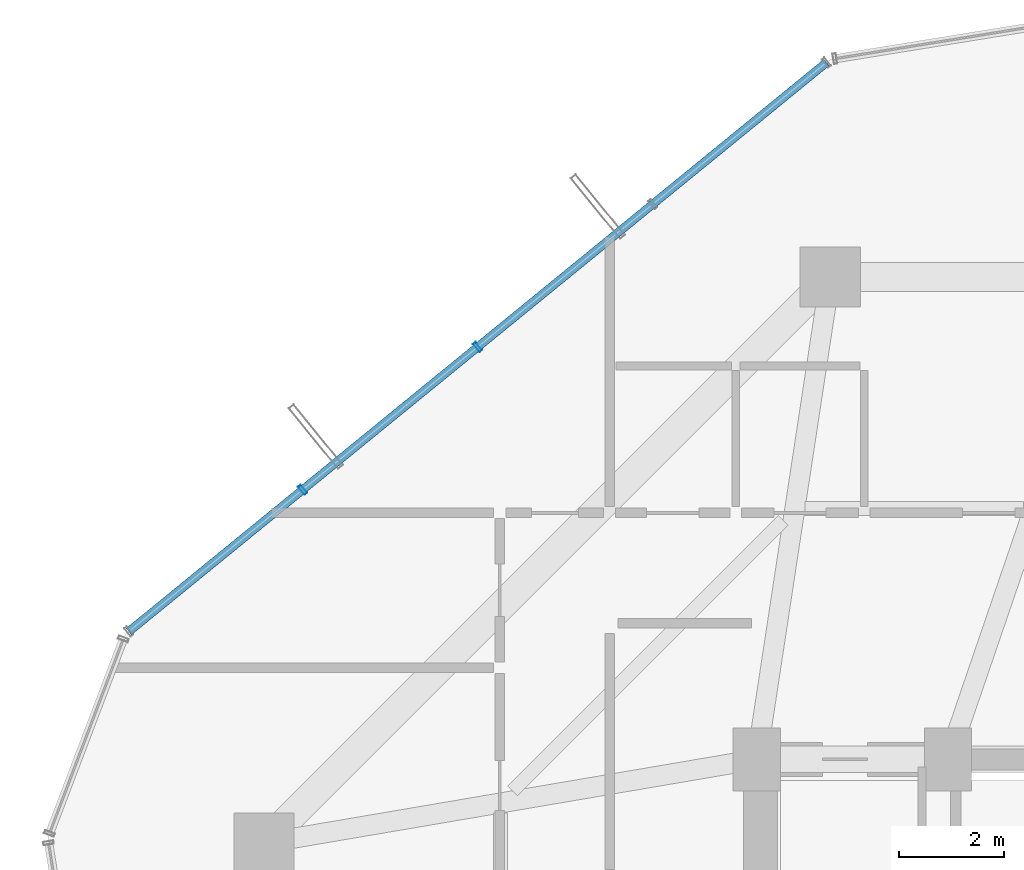
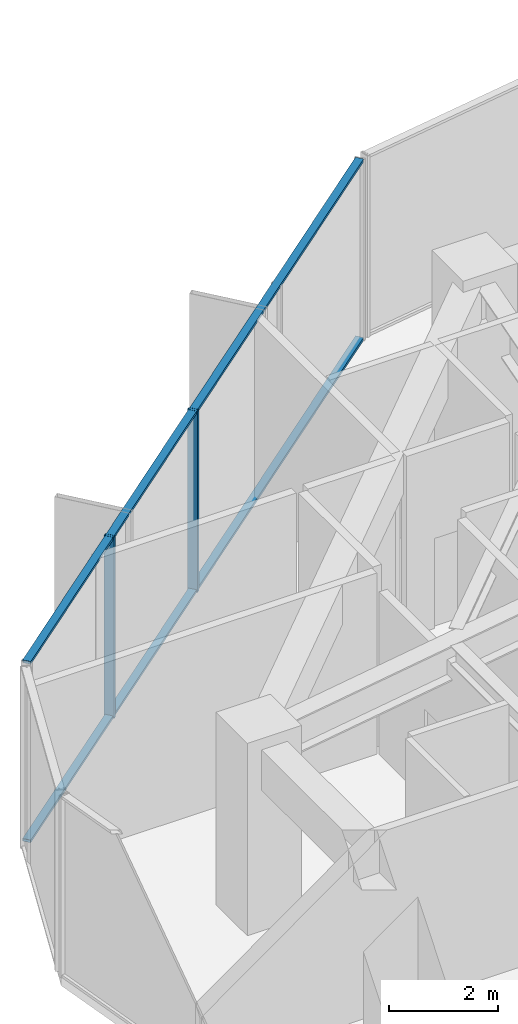
# One storey, part 15 of 26: 4 members, 1 element without a shape of its own.
"""IFC4 building model written with IfcOpenShell, lengths in metres."""

import ifcopenshell
import ifcopenshell.guid

model = None  # the IFC model being written
_history = None  # IfcOwnerHistory: only IFC2X3 demands one
_inside = {}  # id of a spatial element -> (the spatial element, [elements in it])
_under = {}  # id of a project, library or spatial element -> (it, [spatial elements below it])
_declared = {}  # id of a project -> (the project, [libraries it declares])
_typed = {}  # id of a type object -> (the type object, [elements of that type])
_made_of = {}  # id of a material, layer set ... -> (it, [elements and type objects made of it])


def new_model(schema):
    """Start an empty IFC model of exactly this schema.

    Asked for "IFC4X3", IfcOpenShell would pick the latest addendum, in which some entities
    have other attributes; the version numbers below select the first issue.
    IFC2X3 requires an IfcOwnerHistory on every rooted entity: one is made here for all.
    """
    global model, _history
    if schema == "IFC4X3":
        model = ifcopenshell.file(schema_version=(4, 3, 0, 0))
    else:
        model = ifcopenshell.file(schema=schema)
    _inside.clear()
    _under.clear()
    _declared.clear()
    _typed.clear()
    _made_of.clear()
    _history = None
    if model.schema == "IFC2X3":
        org = make("IfcOrganization", Name="unknown")
        user = make(
            "IfcPersonAndOrganization",
            ThePerson=make("IfcPerson", FamilyName="unknown"),
            TheOrganization=org,
        )
        app = make(
            "IfcApplication",
            ApplicationDeveloper=org,
            Version="unknown",
            ApplicationFullName="unknown",
            ApplicationIdentifier="unknown",
        )
        _history = make(
            "IfcOwnerHistory",
            OwningUser=user,
            OwningApplication=app,
            ChangeAction="ADDED",
            CreationDate=0,
        )
    return model


def make(cls, **values):
    """One entity of the class cls with the attributes given. An attribute that is None is left unset."""
    return model.create_entity(
        cls, **{name: value for name, value in values.items() if value is not None}
    )


def rooted(cls, **values):
    """An entity with a GlobalId (a new one), such as an element, a storey or a relation."""
    return make(cls, GlobalId=ifcopenshell.guid.new(), OwnerHistory=_history, **values)


def si_unit(unit_type, name, prefix=None):
    """IfcSIUnit, for example si_unit("LENGTHUNIT", "METRE", prefix="MILLI")."""
    return make("IfcSIUnit", UnitType=unit_type, Prefix=prefix, Name=name)


def assignment(units):
    """IfcUnitAssignment: the units of a project."""
    return None if units is None else make("IfcUnitAssignment", Units=units)


def point(xyz):
    """IfcCartesianPoint."""
    return None if xyz is None else make("IfcCartesianPoint", Coordinates=xyz)


def direction(xyz):
    """IfcDirection."""
    return None if xyz is None else make("IfcDirection", DirectionRatios=xyz)


def frame(location, z_axis=None, x_axis=None):
    """IfcAxis2Placement3D, a coordinate frame: its origin and axes. An axis left out is left unset."""
    return make(
        "IfcAxis2Placement3D",
        Location=point(location),
        Axis=direction(z_axis),
        RefDirection=direction(x_axis),
    )


def frame_2d(location, x_axis=None):
    """IfcAxis2Placement2D, a coordinate frame in the plane: its origin and x axis."""
    return make(
        "IfcAxis2Placement2D", Location=point(location), RefDirection=direction(x_axis)
    )


def origin():
    """The frame at (0, 0, 0) with its axes left unset."""
    return frame((0.0, 0.0, 0.0))


def origin_2d():
    """The frame at (0, 0) in the plane with its x axis left unset."""
    return frame_2d((0.0, 0.0))


def place(relative_to, where):
    """IfcLocalPlacement: puts the frame where relative to a parent placement (None: the world)."""
    return make(
        "IfcLocalPlacement", PlacementRelTo=relative_to, RelativePlacement=where
    )


def context(
    kind, dimensions, precision=None, world=None, true_north=None, identifier=None
):
    """IfcGeometricRepresentationContext, for example the 3D "Model" context."""
    return make(
        "IfcGeometricRepresentationContext",
        ContextIdentifier=identifier,
        ContextType=kind,
        CoordinateSpaceDimension=dimensions,
        Precision=precision,
        WorldCoordinateSystem=world,
        TrueNorth=true_north,
    )


def subcontext(parent, identifier, kind, view, scale=None):
    """IfcGeometricRepresentationSubContext, for example "Body" below "Model"."""
    return make(
        "IfcGeometricRepresentationSubContext",
        ContextIdentifier=identifier,
        ContextType=kind,
        ParentContext=parent,
        TargetScale=scale,
        TargetView=view,
    )


def project(units=None, contexts=None):
    """IfcProject with its units and contexts."""
    return rooted(
        "IfcProject",
        Name="project",
        RepresentationContexts=contexts,
        UnitsInContext=assignment(units),
    )


def spatial(cls, under=None, at=None, **own):
    """A site, building, storey or space (cls), placed at a placement, below another one or the project."""
    s = rooted(cls, ObjectPlacement=at, **own)
    if under is not None:
        _under.setdefault(under.id(), (under, []))[1].append(s)
    return s


def profile(cls, at=None, kind="AREA", **sizes):
    """A parametric profile (cls). Its sizes go by their IFC names, for example OverallWidth=200.0."""
    return make(cls, ProfileType=kind, Position=at, **sizes)


def hollow_rectangle(**sizes):
    """IfcRectangleHollowProfileDef."""
    return profile("IfcRectangleHollowProfileDef", **sizes)


def extrude(swept, where, along, depth):
    """IfcExtrudedAreaSolid: the profile swept, set in the frame where, extruded along a direction by depth."""
    return make(
        "IfcExtrudedAreaSolid",
        SweptArea=swept,
        Position=where,
        ExtrudedDirection=direction(along),
        Depth=depth,
    )


def shape(context_of_items, identifier, shape_type, items):
    """IfcShapeRepresentation: the items that make up one representation, for example the "Body"."""
    return make(
        "IfcShapeRepresentation",
        ContextOfItems=context_of_items,
        RepresentationIdentifier=identifier,
        RepresentationType=shape_type,
        Items=items,
    )


def source(mapping_origin, context_of_items, identifier, shape_type, items):
    """IfcRepresentationMap: a shape defined once, which mapped items show again and again."""
    return make(
        "IfcRepresentationMap",
        MappingOrigin=mapping_origin,
        MappedRepresentation=shape(context_of_items, identifier, shape_type, items),
    )


def transform(
    local_origin,
    x_axis=None,
    y_axis=None,
    z_axis=None,
    scale=None,
    scale2=None,
    scale3=None,
    uniform=True,
):
    """IfcCartesianTransformationOperator3D, or its non-uniform kind. x_axis, y_axis, z_axis: its Axis1, 2, 3."""
    if uniform:
        return make(
            "IfcCartesianTransformationOperator3D",
            Axis1=direction(x_axis),
            Axis2=direction(y_axis),
            LocalOrigin=point(local_origin),
            Scale=scale,
            Axis3=direction(z_axis),
        )
    return make(
        "IfcCartesianTransformationOperator3DnonUniform",
        Axis1=direction(x_axis),
        Axis2=direction(y_axis),
        LocalOrigin=point(local_origin),
        Scale=scale,
        Axis3=direction(z_axis),
        Scale2=scale2,
        Scale3=scale3,
    )


def mapped(mapping_source, mapping_target):
    """IfcMappedItem: shows the shape of a source again, moved by a transform."""
    return make(
        "IfcMappedItem", MappingSource=mapping_source, MappingTarget=mapping_target
    )


def material(Name=None, Category=None):
    """IfcMaterial."""
    return make("IfcMaterial", Name=Name, Category=Category)


def layer(
    of_material, thickness, ventilated=None, Name=None, Category=None, Priority=None
):
    """IfcMaterialLayer: one layer of a wall or slab, of a material (None: an air gap)."""
    return make(
        "IfcMaterialLayer",
        Material=of_material,
        LayerThickness=thickness,
        IsVentilated=ventilated,
        Name=Name,
        Category=Category,
        Priority=Priority,
    )


def layer_set(layers, Name=None):
    """IfcMaterialLayerSet."""
    return make("IfcMaterialLayerSet", MaterialLayers=layers, LayerSetName=Name)


def material_profile(
    of_material, cross_section, Name=None, Category=None, Priority=None
):
    """IfcMaterialProfile: a cross section and its material."""
    return make(
        "IfcMaterialProfile",
        Name=Name,
        Material=of_material,
        Profile=cross_section,
        Priority=Priority,
        Category=Category,
    )


def profile_set(profiles, Name=None, composite=None):
    """IfcMaterialProfileSet."""
    return make(
        "IfcMaterialProfileSet",
        Name=Name,
        MaterialProfiles=profiles,
        CompositeProfile=composite,
    )


def made_of(thing, what):
    """Note that an element or type object is made of a material, layer set ...; save() writes the relation."""
    if what is not None:
        _made_of.setdefault(what.id(), (what, []))[1].append(thing)
    return thing


def type_object(cls, material=None, **own):
    """A type object (cls), such as IfcWallType, which elements share."""
    return made_of(rooted(cls, **own), material)


def element(
    cls,
    number,
    at=None,
    inside=None,
    cuts=None,
    type_object=None,
    material=None,
    context=None,
    identifier="Body",
    shape_type=None,
    held_by="IfcProductDefinitionShape",
    body=None,
    shapes=None,
    **own,
):
    """One element of the class cls, such as IfcWall. Its Tag is "e" and its number.

    at: its placement. inside: the storey or other place that contains it. cuts: it is an
    opening in that element (IfcRelVoidsElement). A single representation is given by context,
    identifier, shape_type and body (its items); several are given by shapes. held_by: the class
    of the entity that holds the representations. save() writes the other relations.
    """
    e = rooted(cls, Tag="e%d" % number, ObjectPlacement=at, **own)
    if body is not None:
        shapes = [shape(context, identifier, shape_type, body)]
    if shapes is not None:
        e.Representation = make(held_by, Representations=shapes)
    if inside is not None:
        _inside.setdefault(inside.id(), (inside, []))[1].append(e)
    if cuts is not None:
        rooted(
            "IfcRelVoidsElement", RelatingBuildingElement=cuts, RelatedOpeningElement=e
        )
    if type_object is not None:
        _typed.setdefault(type_object.id(), (type_object, []))[1].append(e)
    return made_of(e, material)


def aggregate(whole, parts):
    """IfcRelAggregates: a whole, such as a stair, and the parts it consists of."""
    return rooted("IfcRelAggregates", RelatingObject=whole, RelatedObjects=parts)


def save(model, path):
    """Write the relations noted so far, then the file.

    IfcRelAggregates (storeys below a building ...), IfcRelContainedInSpatialStructure (elements
    in a storey), IfcRelDefinesByType, IfcRelAssociatesMaterial and IfcRelDeclares: one each for
    every whole, place, type object, material and project.
    """
    for whole, parts in _under.values():
        aggregate(whole, parts)
    for where, things in _inside.values():
        rooted(
            "IfcRelContainedInSpatialStructure",
            RelatedElements=things,
            RelatingStructure=where,
        )
    for kind, things in _typed.values():
        rooted("IfcRelDefinesByType", RelatedObjects=things, RelatingType=kind)
    for what, things in _made_of.values():
        rooted("IfcRelAssociatesMaterial", RelatedObjects=things, RelatingMaterial=what)
    for by, libraries in _declared.values():
        rooted("IfcRelDeclares", RelatingContext=by, RelatedDefinitions=libraries)
    model.write(path)


model = new_model("IFC4")

# Units and contexts
model_context = context("Model", 3, precision=1e-05, world=origin(), true_north=direction((0.0, 1.0)))
body_context = subcontext(model_context, "Body", "Model", "MODEL_VIEW")
ifc_project = project(units=[si_unit("LENGTHUNIT", "METRE"), si_unit("AREAUNIT", "SQUARE_METRE"), si_unit("VOLUMEUNIT", "CUBIC_METRE"), si_unit("PLANEANGLEUNIT", "RADIAN"), si_unit("MASSUNIT", "GRAM", prefix="KILO")], contexts=[model_context])

# Site, building, storey
site_placement = place(None, origin())
site = spatial("IfcSite", under=ifc_project, at=site_placement, CompositionType="ELEMENT")
building_placement = place(site_placement, origin())
building = spatial("IfcBuilding", under=site, at=building_placement, Name="Veraguas Prism Commons", CompositionType="ELEMENT")
storey_placement = place(building_placement, frame((0.0, 0.0, 158.75)))
storey = spatial("IfcBuildingStorey", under=building, at=storey_placement, Name="L45", CompositionType="ELEMENT", Elevation=158.75)

# Curtain wall, members
ifc_material = material(Name="Anodised aluminium EN AW-6063 T6", Category="aluminium")
ifc_layer = layer(ifc_material, 0.199951171875, Name="Sky Lobby and Pool Acoustic Curtain Wall", Category="aluminium")
ifc_layer_set = layer_set([ifc_layer], Name="Anodised aluminium EN AW-6063 T6")
curtain_wall_type = type_object("IfcCurtainWallType", Name="Sky Lobby and Pool Acoustic Curtain Wall", PredefinedType="NOTDEFINED", material=ifc_layer_set)
curtain_wall_placement = place(storey_placement, origin())
curtain_wall = element("IfcCurtainWall", 1, at=curtain_wall_placement, inside=storey, type_object=curtain_wall_type, Name="Tower Facade Curtain Wall L45-F2", PredefinedType="NOTDEFINED")
ifc_material_profile_1 = material_profile(ifc_material, hollow_rectangle(XDim=0.06494140625, YDim=0.199951171875, WallThickness=0.00390625, at=origin_2d()), Name="AL65X200X4")
ifc_profile_set_1 = profile_set([ifc_material_profile_1], Name="Anodised aluminium EN AW-6063 T6")
member_type_1 = type_object("IfcMemberType", Name="Curtain Wall Mullion Heavy AL 65x200x4", PredefinedType="MULLION", material=ifc_profile_set_1)
shared_shape_1 = source(origin(), body_context, "Body", "SweptSolid", [
    extrude(hollow_rectangle(XDim=0.06494140625, YDim=0.199951171875, WallThickness=0.00390625, at=origin_2d()), origin(), (0.0, 0.0, 1.0), 4.050048828125),
])
member_1_placement = place(storey_placement, frame((11.876220703125, 38.865234375, 0.0), z_axis=(0.0, 0.0, 1.0), x_axis=(-0.774943385604, -0.632030655197, 0.0)))
member_1 = element("IfcMember", 2, at=member_1_placement, type_object=member_type_1, Name="CW-SKY Mullion 3", PredefinedType="MULLION", context=body_context, shape_type="MappedRepresentation", body=[
    mapped(shared_shape_1, transform((0.0, 0.0, 0.0), scale=1.0)),
])
member_2_placement = place(storey_placement, frame((8.537109375, 36.14208984375, 0.0), z_axis=(0.0, 0.0, 1.0), x_axis=(-0.774943385604, -0.632030655197, 0.0)))
member_2 = element("IfcMember", 3, at=member_2_placement, type_object=member_type_1, Name="CW-SKY Mullion 4", PredefinedType="MULLION", context=body_context, shape_type="MappedRepresentation", body=[
    mapped(shared_shape_1, transform((0.0, 0.0, 0.0), scale=1.0)),
])
ifc_material_profile_2 = material_profile(ifc_material, hollow_rectangle(XDim=0.06005859375, YDim=0.159912109375, WallThickness=0.0029296875, at=origin_2d()), Name="AL60X160X3")
ifc_profile_set_2 = profile_set([ifc_material_profile_2], Name="Anodised aluminium EN AW-6063 T6")
member_type_2 = type_object("IfcMemberType", Name="Curtain Wall Transom Heavy AL 60x160x3", PredefinedType="USERDEFINED", material=ifc_profile_set_2)
shared_shape_2 = source(origin(), body_context, "Body", "SweptSolid", [
    extrude(hollow_rectangle(XDim=0.06005859375, YDim=0.159912109375, WallThickness=0.0029296875, at=origin_2d()), origin(), (0.0, 0.0, 1.0), 17.169677734375),
])
member_3_placement = place(storey_placement, frame((18.52880859375, 44.291259765625, 0.030029296875), z_axis=(-0.774939612203, -0.632035281799, 0.0), x_axis=(0.0, 0.0, 1.0)))
member_3 = element("IfcMember", 4, at=member_3_placement, type_object=member_type_2, Name="CW-SKY Transom 1", ObjectType="TRANSOM", PredefinedType="USERDEFINED", context=body_context, shape_type="MappedRepresentation", body=[
    mapped(shared_shape_2, transform((0.0, 0.0, 0.0), scale=1.0)),
])
member_4_placement = place(storey_placement, frame((18.52880859375, 44.291259765625, 4.02001953125), z_axis=(-0.774939612203, -0.632035281799, 0.0), x_axis=(0.0, 0.0, 1.0)))
member_4 = element("IfcMember", 5, at=member_4_placement, type_object=member_type_2, Name="CW-SKY Transom 2", ObjectType="TRANSOM", PredefinedType="USERDEFINED", context=body_context, shape_type="MappedRepresentation", body=[
    mapped(shared_shape_2, transform((0.0, 0.0, 0.0), scale=1.0)),
])
aggregate(curtain_wall, [member_1, member_2, member_3, member_4])

save(model, "model.ifc")
